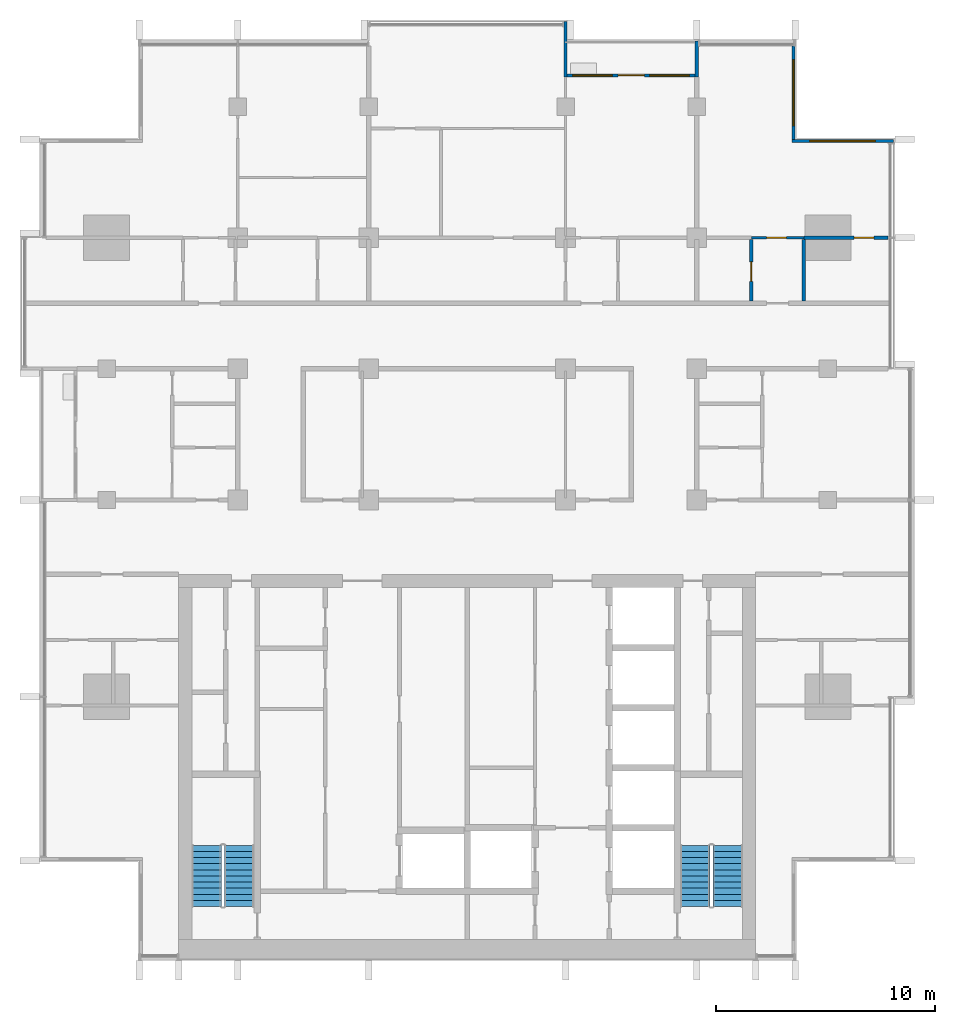
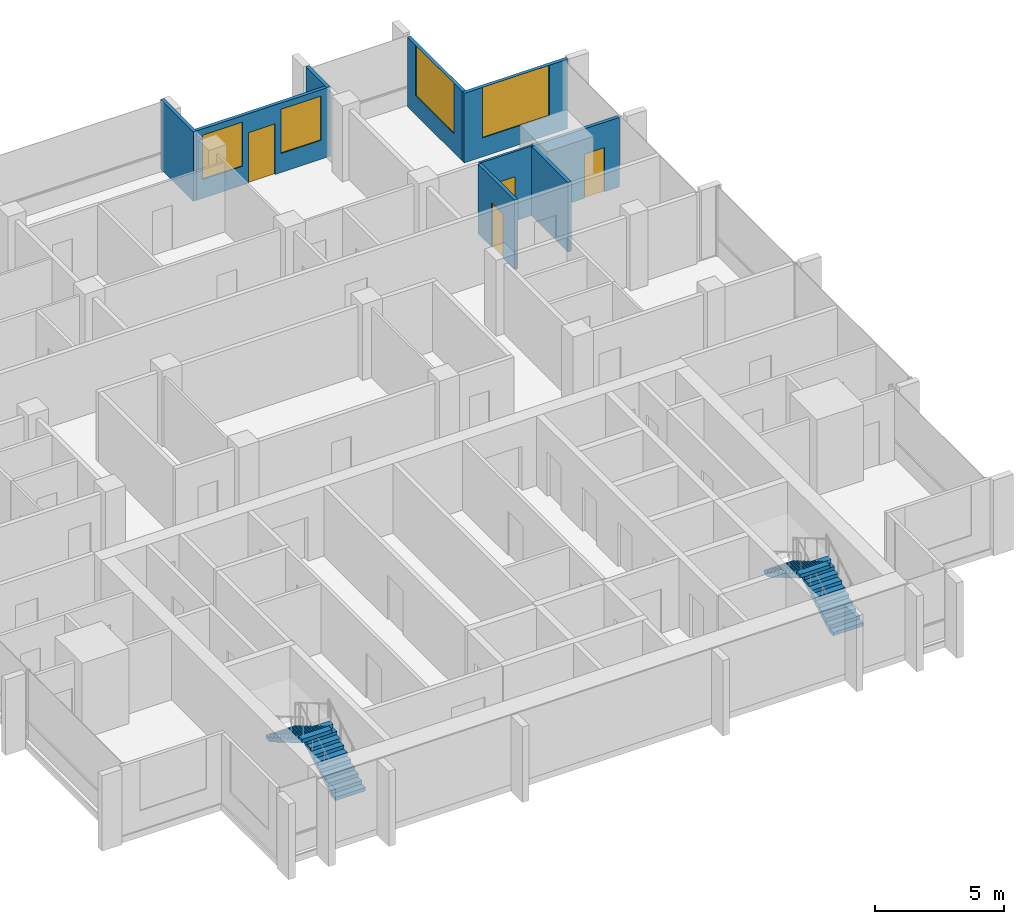
# One storey, part 11 of 16: 9 walls, 4 doors, 4 stair flights, 4 windows, 8 openings, 2 elements without a shape of their own.
"""IFC4 building model written with IfcOpenShell, lengths in metres."""

from ifc_helpers import new_model, si_unit, direction, frame, frame_2d, origin, place, context, subcontext, project, spatial, polyline, rectangle, outline, extrude, material, layer, layer_set, type_object, element, fill, aggregate, save


model = new_model("IFC4")

# Units and contexts
model_context = context("Model", 3, precision=1e-05, world=origin(), true_north=direction((0.0, 1.0)))
body_context = subcontext(model_context, "Body", "Model", "MODEL_VIEW")
ifc_project = project(units=[si_unit("LENGTHUNIT", "METRE"), si_unit("AREAUNIT", "SQUARE_METRE"), si_unit("VOLUMEUNIT", "CUBIC_METRE"), si_unit("PLANEANGLEUNIT", "RADIAN"), si_unit("MASSUNIT", "GRAM", prefix="KILO")], contexts=[model_context])

# Site, building, storey
site_placement = place(None, origin())
site = spatial("IfcSite", under=ifc_project, at=site_placement, CompositionType="ELEMENT")
building_placement = place(site_placement, origin())
building = spatial("IfcBuilding", under=site, at=building_placement, Name="Finial Court Residences", CompositionType="ELEMENT")
storey_placement = place(building_placement, frame((0.0, 0.0, 233.89990234375)))
storey = spatial("IfcBuildingStorey", under=building, at=storey_placement, Name="L59", CompositionType="ELEMENT", Elevation=233.89990234375)

# Wall, opening, door
ifc_material_1 = material(Name="Gypsum board")
ifc_layer_1 = layer(ifc_material_1, 0.012451171875)
ifc_material_2 = material(Name="Mineral wool in light-gauge frame")
ifc_layer_2 = layer(ifc_material_2, 0.074951171875)
ifc_layer_3 = layer(ifc_material_1, 0.012451171875)
ifc_layer_set_1 = layer_set([ifc_layer_1, ifc_layer_2, ifc_layer_3], Name="Gypsum board partition 100")
wall_type_1 = type_object("IfcWallType", Name="Gypsum board partition 100", PredefinedType="PARTITIONING", material=ifc_layer_set_1)
wall_1_placement = place(storey_placement, frame((13.0, 7.5, 0.0), z_axis=(0.0, 0.0, 1.0), x_axis=(1.0, 0.0, 0.0)))
wall_1 = element("IfcWall", 1, at=wall_1_placement, inside=storey, type_object=wall_type_1, Name="Partition L59-020", PredefinedType="PARTITIONING", context=body_context, shape_type="SweptSolid", body=[
    extrude(rectangle(XDim=2.39990234375, YDim=0.10009765625, at=frame_2d((1.199951171875, 0.0))), origin(), (0.0, 0.0, 1.0), 3.300048828125),
])
opening_1_placement = place(wall_1_placement, frame((0.699951171875, 0.0, 0.0)))
opening_1 = element("IfcOpeningElement", 2, at=opening_1_placement, cuts=wall_1, Name="Opening L59-D021", PredefinedType="OPENING", context=body_context, shape_type="SweptSolid", body=[
    extrude(rectangle(XDim=0.89990234375, YDim=2.10009765625, at=frame_2d((0.449951171875, 1.050048828125))), frame((0.0, 0.06005859375, 0.0), z_axis=(0.0, -1.0, 0.0), x_axis=(1.0, 0.0, 0.0)), (0.0, 0.0, 1.0), 0.1201171875),
])
ifc_material_3 = material(Name="Timber door leaf in timber frame", Category="wood")
door_type_1 = type_object("IfcDoorType", Name="Door set 900 x 2100", OperationType="SINGLE_SWING_LEFT", PredefinedType="DOOR", material=ifc_material_3)
door_1_placement = place(opening_1_placement, origin())
door_1 = element("IfcDoor", 3, at=door_1_placement, inside=storey, type_object=door_type_1, Name="Door L59-D021", OperationType="SINGLE_SWING_LEFT", OverallHeight=2.10009765625, OverallWidth=0.89990234375, PredefinedType="DOOR", context=body_context, shape_type="SweptSolid", body=[
    extrude(rectangle(XDim=0.89990234375, YDim=2.10009765625, at=frame_2d((0.449951171875, 1.050048828125))), frame((0.0, 0.02490234375, 0.0), z_axis=(0.0, -1.0, 0.0), x_axis=(1.0, 0.0, 0.0)), (0.0, 0.0, 1.0), 0.050048828125),
])
fill(opening_1, door_1)

ifc_material_4 = material(Name="Moisture-resistant gypsum board")
ifc_layer_4 = layer(ifc_material_4, 0.012451171875)
ifc_layer_5 = layer(ifc_material_2, 0.125)
ifc_layer_6 = layer(ifc_material_4, 0.012451171875)
ifc_layer_set_2 = layer_set([ifc_layer_4, ifc_layer_5, ifc_layer_6], Name="Gypsum board wet-area partition 150")
wall_type_2 = type_object("IfcWallType", Name="Gypsum board wet-area partition 150", PredefinedType="PARTITIONING", material=ifc_layer_set_2)
wall_2_placement = place(storey_placement, frame((15.39990234375, 7.5, 0.0), z_axis=(0.0, 0.0, 1.0), x_axis=(1.0, 0.0, 0.0)))
wall_2 = element("IfcWall", 4, at=wall_2_placement, inside=storey, type_object=wall_type_2, Name="Partition L59-025", PredefinedType="PARTITIONING", context=body_context, shape_type="SweptSolid", body=[
    extrude(rectangle(XDim=3.862548828125, YDim=0.14990234375, at=frame_2d((1.93115234375, 0.0))), origin(), (0.0, 0.0, 1.0), 3.300048828125),
])
opening_2_placement = place(wall_2_placement, frame((2.300048828125, 0.0, 0.0)))
opening_2 = element("IfcOpeningElement", 5, at=opening_2_placement, cuts=wall_2, Name="Opening L59-D023", PredefinedType="OPENING", context=body_context, shape_type="SweptSolid", body=[
    extrude(rectangle(XDim=0.89990234375, YDim=2.10009765625, at=frame_2d((0.449951171875, 1.050048828125))), frame((0.0, 0.0849609375, 0.0), z_axis=(0.0, -1.0, 0.0), x_axis=(1.0, 0.0, 0.0)), (0.0, 0.0, 1.0), 0.169921875),
])
door_2_placement = place(opening_2_placement, origin())
door_2 = element("IfcDoor", 6, at=door_2_placement, inside=storey, type_object=door_type_1, Name="Door L59-D023", OperationType="SINGLE_SWING_RIGHT", OverallHeight=2.10009765625, OverallWidth=0.89990234375, PredefinedType="DOOR", context=body_context, shape_type="SweptSolid", body=[
    extrude(rectangle(XDim=0.89990234375, YDim=2.10009765625, at=frame_2d((0.449951171875, 1.050048828125))), frame((0.0, 0.02490234375, 0.0), z_axis=(0.0, -1.0, 0.0), x_axis=(1.0, 0.0, 0.0)), (0.0, 0.0, 1.0), 0.050048828125),
])
fill(opening_2, door_2)

wall_3_placement = place(storey_placement, frame((13.0, 4.60009765625, 0.0), z_axis=(0.0, 0.0, 1.0), x_axis=(0.0, 1.0, 0.0)))
wall_3 = element("IfcWall", 7, at=wall_3_placement, inside=storey, type_object=wall_type_2, Name="Partition L59-050", PredefinedType="PARTITIONING", context=body_context, shape_type="SweptSolid", body=[
    extrude(rectangle(XDim=2.824951171875, YDim=0.14990234375, at=frame_2d((1.41259765625, 0.0))), origin(), (0.0, 0.0, 1.0), 3.300048828125),
])
opening_3_placement = place(wall_3_placement, frame((0.89990234375, 0.0, 0.0)))
opening_3 = element("IfcOpeningElement", 8, at=opening_3_placement, cuts=wall_3, Name="Opening L59-D035", PredefinedType="OPENING", context=body_context, shape_type="SweptSolid", body=[
    extrude(rectangle(XDim=0.89990234375, YDim=2.10009765625, at=frame_2d((0.449951171875, 1.050048828125))), frame((0.0, 0.0849609375, 0.0), z_axis=(0.0, -1.0, 0.0), x_axis=(1.0, 0.0, 0.0)), (0.0, 0.0, 1.0), 0.169921875),
])
door_3_placement = place(opening_3_placement, origin())
door_3 = element("IfcDoor", 9, at=door_3_placement, inside=storey, type_object=door_type_1, Name="Door L59-D035", OperationType="SINGLE_SWING_LEFT", OverallHeight=2.10009765625, OverallWidth=0.89990234375, PredefinedType="DOOR", context=body_context, shape_type="SweptSolid", body=[
    extrude(rectangle(XDim=0.89990234375, YDim=2.10009765625, at=frame_2d((0.449951171875, 1.050048828125))), frame((0.0, 0.02490234375, 0.0), z_axis=(0.0, -1.0, 0.0), x_axis=(1.0, 0.0, 0.0)), (0.0, 0.0, 1.0), 0.050048828125),
])
fill(opening_3, door_3)

# Wall
wall_4_placement = place(storey_placement, frame((15.39990234375, 4.60009765625, 0.0), z_axis=(0.0, 0.0, 1.0), x_axis=(0.0, 1.0, 0.0)))
element("IfcWall", 10, at=wall_4_placement, inside=storey, type_object=wall_type_2, Name="Partition L59-053", PredefinedType="PARTITIONING", context=body_context, shape_type="SweptSolid", body=[
    extrude(rectangle(XDim=2.824951171875, YDim=0.14990234375, at=frame_2d((1.41259765625, 0.0))), origin(), (0.0, 0.0, 1.0), 3.300048828125),
])

# Wall, opening, window
ifc_material_5 = material(Name="Natural limestone", Category="masonry")
ifc_layer_7 = layer(ifc_material_5, 0.14990234375)
ifc_layer_set_3 = layer_set([ifc_layer_7], Name="Limestone clad wall 150")
wall_type_3 = type_object("IfcWallType", Name="Limestone clad wall 150", PredefinedType="SOLIDWALL", material=ifc_layer_set_3)
wall_5_placement = place(storey_placement, frame((14.925048828125, 16.262451171875, 0.0), z_axis=(0.0, 0.0, 1.0), x_axis=(0.0, -1.0, 0.0)))
wall_5 = element("IfcWall", 11, at=wall_5_placement, inside=storey, type_object=wall_type_3, Name="E-L59-NWE19", PredefinedType="SOLIDWALL", context=body_context, shape_type="SweptSolid", body=[
    extrude(rectangle(XDim=4.262451171875, YDim=0.14990234375, at=frame_2d((2.13134765625, 0.0))), origin(), (0.0, 0.0, 1.0), 3.300048828125),
])
opening_4_placement = place(wall_5_placement, frame((0.631103515625, 0.0, 0.89990234375)))
opening_4 = element("IfcOpeningElement", 12, at=opening_4_placement, cuts=wall_5, Name="Opening WE59-07", PredefinedType="OPENING", context=body_context, shape_type="SweptSolid", body=[
    extrude(rectangle(XDim=3.0, YDim=2.39990234375, at=frame_2d((1.5, 1.199951171875))), frame((0.0, 0.0849609375, 0.0), z_axis=(0.0, -1.0, 0.0), x_axis=(1.0, 0.0, 0.0)), (0.0, 0.0, 1.0), 0.169921875),
])
ifc_material_6 = material(Name="Clear low-e glass", Category="glass")
window_type_1 = type_object("IfcWindowType", Name="Corner window 3000 x 2400", PartitioningType="SINGLE_PANEL", PredefinedType="WINDOW", material=ifc_material_6)
window_1_placement = place(opening_4_placement, origin())
window_1 = element("IfcWindow", 13, at=window_1_placement, inside=storey, type_object=window_type_1, Name="E-L59-NWE19-W1", OverallHeight=2.39990234375, OverallWidth=3.0, PartitioningType="SINGLE_PANEL", PredefinedType="WINDOW", context=body_context, shape_type="SweptSolid", body=[
    extrude(rectangle(XDim=3.0, YDim=2.39990234375, at=frame_2d((1.5, 1.199951171875))), frame((0.0, 0.030029296875, 0.0), z_axis=(0.0, -1.0, 0.0), x_axis=(1.0, 0.0, 0.0)), (0.0, 0.0, 1.0), 0.06005859375),
])
fill(opening_4, window_1)

wall_6_placement = place(storey_placement, frame((14.85009765625, 11.925048828125, 0.0), z_axis=(0.0, 0.0, 1.0), x_axis=(1.0, 0.0, 0.0)))
wall_6 = element("IfcWall", 14, at=wall_6_placement, inside=storey, type_object=wall_type_3, Name="E-L59-NWN20", PredefinedType="SOLIDWALL", context=body_context, shape_type="SweptSolid", body=[
    extrude(rectangle(XDim=4.64990234375, YDim=0.14990234375, at=frame_2d((2.324951171875, 0.0))), origin(), (0.0, 0.0, 1.0), 3.300048828125),
])
opening_5_placement = place(wall_6_placement, frame((0.824951171875, 0.0, 0.89990234375)))
opening_5 = element("IfcOpeningElement", 15, at=opening_5_placement, cuts=wall_6, Name="Opening WE59-08", PredefinedType="OPENING", context=body_context, shape_type="SweptSolid", body=[
    extrude(rectangle(XDim=3.0, YDim=2.39990234375, at=frame_2d((1.5, 1.199951171875))), frame((0.0, 0.0849609375, 0.0), z_axis=(0.0, -1.0, 0.0), x_axis=(1.0, 0.0, 0.0)), (0.0, 0.0, 1.0), 0.169921875),
])
window_2_placement = place(opening_5_placement, origin())
window_2 = element("IfcWindow", 16, at=window_2_placement, inside=storey, type_object=window_type_1, Name="E-L59-NWN20-W1", OverallHeight=2.39990234375, OverallWidth=3.0, PartitioningType="SINGLE_PANEL", PredefinedType="WINDOW", context=body_context, shape_type="SweptSolid", body=[
    extrude(rectangle(XDim=3.0, YDim=2.39990234375, at=frame_2d((1.5, 1.199951171875))), frame((0.0, 0.030029296875, 0.0), z_axis=(0.0, -1.0, 0.0), x_axis=(1.0, 0.0, 0.0)), (0.0, 0.0, 1.0), 0.06005859375),
])
fill(opening_5, window_2)

# Walls
wall_7_placement = place(storey_placement, frame((4.5, 14.85009765625, 0.0), z_axis=(0.0, 0.0, 1.0), x_axis=(0.0, 1.0, 0.0)))
element("IfcWall", 17, at=wall_7_placement, inside=storey, type_object=wall_type_3, Name="E-L59-BALN4-P1", PredefinedType="SOLIDWALL", context=body_context, shape_type="SweptSolid", body=[
    extrude(rectangle(XDim=2.5498046875, YDim=0.14990234375, at=frame_2d((1.27490234375, 0.0))), origin(), (0.0, 0.0, 1.0), 3.300048828125),
])
wall_8_placement = place(storey_placement, frame((10.5, 14.85009765625, 0.0), z_axis=(0.0, 0.0, 1.0), x_axis=(0.0, 1.0, 0.0)))
element("IfcWall", 18, at=wall_8_placement, inside=storey, type_object=wall_type_3, Name="E-L59-BALN4-P2", PredefinedType="SOLIDWALL", context=body_context, shape_type="SweptSolid", body=[
    extrude(rectangle(XDim=1.64990234375, YDim=0.14990234375, at=frame_2d((0.824951171875, 0.0))), origin(), (0.0, 0.0, 1.0), 3.300048828125),
])

# Wall, openings, door, windows
wall_9_placement = place(storey_placement, frame((4.574951171875, 14.925048828125, 0.0), z_axis=(0.0, 0.0, 1.0), x_axis=(1.0, 0.0, 0.0)))
wall_9 = element("IfcWall", 19, at=wall_9_placement, inside=storey, type_object=wall_type_3, Name="E-L59-L59-BALN4-W", PredefinedType="SOLIDWALL", context=body_context, shape_type="SweptSolid", body=[
    extrude(rectangle(XDim=5.85009765625, YDim=0.14990234375, at=frame_2d((2.925048828125, 0.0))), origin(), (0.0, 0.0, 1.0), 3.300048828125),
])
opening_6_placement = place(wall_9_placement, frame((2.324951171875, 0.0, 0.0)))
opening_6 = element("IfcOpeningElement", 20, at=opening_6_placement, cuts=wall_9, Name="Opening DE59-01", PredefinedType="OPENING", context=body_context, shape_type="SweptSolid", body=[
    extrude(rectangle(XDim=1.199951171875, YDim=2.39990234375, at=frame_2d((0.60009765625, 1.199951171875))), frame((0.0, 0.0849609375, 0.0), z_axis=(0.0, -1.0, 0.0), x_axis=(1.0, 0.0, 0.0)), (0.0, 0.0, 1.0), 0.169921875),
])
opening_7_placement = place(wall_9_placement, frame((0.262451171875, 0.0, 0.89990234375)))
opening_7 = element("IfcOpeningElement", 21, at=opening_7_placement, cuts=wall_9, Name="Opening WE59-09", PredefinedType="OPENING", context=body_context, shape_type="SweptSolid", body=[
    extrude(rectangle(XDim=1.800048828125, YDim=2.10009765625, at=frame_2d((0.89990234375, 1.050048828125))), frame((0.0, 0.0849609375, 0.0), z_axis=(0.0, -1.0, 0.0), x_axis=(1.0, 0.0, 0.0)), (0.0, 0.0, 1.0), 0.169921875),
])
opening_8_placement = place(wall_9_placement, frame((3.78759765625, 0.0, 0.89990234375)))
opening_8 = element("IfcOpeningElement", 22, at=opening_8_placement, cuts=wall_9, Name="Opening WE59-10", PredefinedType="OPENING", context=body_context, shape_type="SweptSolid", body=[
    extrude(rectangle(XDim=1.800048828125, YDim=2.10009765625, at=frame_2d((0.89990234375, 1.050048828125))), frame((0.0, 0.0849609375, 0.0), z_axis=(0.0, -1.0, 0.0), x_axis=(1.0, 0.0, 0.0)), (0.0, 0.0, 1.0), 0.169921875),
])
ifc_material_7 = material(Name="Bronze anodised aluminium", Category="aluminium")
door_type_2 = type_object("IfcDoorType", Name="Balcony door 1200 x 2400", OperationType="SINGLE_SWING_LEFT", PredefinedType="DOOR", material=ifc_material_7)
door_4_placement = place(opening_6_placement, origin())
door_4 = element("IfcDoor", 23, at=door_4_placement, inside=storey, type_object=door_type_2, Name="E-L59-L59-BALN4-W-D", OperationType="SINGLE_SWING_RIGHT", OverallHeight=2.39990234375, OverallWidth=1.199951171875, PredefinedType="DOOR", context=body_context, shape_type="SweptSolid", body=[
    extrude(rectangle(XDim=1.199951171875, YDim=2.39990234375, at=frame_2d((0.60009765625, 1.199951171875))), frame((0.0, 0.02490234375, 0.0), z_axis=(0.0, -1.0, 0.0), x_axis=(1.0, 0.0, 0.0)), (0.0, 0.0, 1.0), 0.050048828125),
])
fill(opening_6, door_4)
window_type_2 = type_object("IfcWindowType", Name="Balcony window 1800 x 2100", PartitioningType="SINGLE_PANEL", PredefinedType="WINDOW", material=ifc_material_6)
window_3_placement = place(opening_7_placement, origin())
window_3 = element("IfcWindow", 24, at=window_3_placement, inside=storey, type_object=window_type_2, Name="E-L59-L59-BALN4-W-W1", OverallHeight=2.10009765625, OverallWidth=1.800048828125, PartitioningType="SINGLE_PANEL", PredefinedType="WINDOW", context=body_context, shape_type="SweptSolid", body=[
    extrude(rectangle(XDim=1.800048828125, YDim=2.10009765625, at=frame_2d((0.89990234375, 1.050048828125))), frame((0.0, 0.030029296875, 0.0), z_axis=(0.0, -1.0, 0.0), x_axis=(1.0, 0.0, 0.0)), (0.0, 0.0, 1.0), 0.06005859375),
])
fill(opening_7, window_3)
window_4_placement = place(opening_8_placement, origin())
window_4 = element("IfcWindow", 25, at=window_4_placement, inside=storey, type_object=window_type_2, Name="E-L59-L59-BALN4-W-W2", OverallHeight=2.10009765625, OverallWidth=1.800048828125, PartitioningType="SINGLE_PANEL", PredefinedType="WINDOW", context=body_context, shape_type="SweptSolid", body=[
    extrude(rectangle(XDim=1.800048828125, YDim=2.10009765625, at=frame_2d((0.89990234375, 1.050048828125))), frame((0.0, 0.030029296875, 0.0), z_axis=(0.0, -1.0, 0.0), x_axis=(1.0, 0.0, 0.0)), (0.0, 0.0, 1.0), 0.06005859375),
])
fill(opening_8, window_4)

# Stair, stair flights
ifc_material_8 = material(Name="Concrete C50/60", Category="concrete")
stair_type = type_object("IfcStairType", Name="Exit stair 22 risers of 163.6 mm", PredefinedType="HALF_TURN_STAIR", material=ifc_material_8)
stair_1_placement = place(storey_placement, origin())
stair_1 = element("IfcStair", 26, at=stair_1_placement, inside=storey, type_object=stair_type, Name="L59 Exit stair ST-1", PredefinedType="HALF_TURN_STAIR")
stair_flight_type = type_object("IfcStairFlightType", Name="Exit stair flight", PredefinedType="STRAIGHT", material=ifc_material_8)
stair_flight_1_placement = place(storey_placement, frame((-10.425048828125, -23.10009765625, 0.0), z_axis=(0.0, 0.0, 1.0), x_axis=(0.0, 1.0, 0.0)))
stair_flight_1 = element("IfcStairFlight", 27, at=stair_flight_1_placement, type_object=stair_flight_type, Name="ST-1 flight 1", NumberOfRisers=11, NumberOfTreads=10, PredefinedType="STRAIGHT", RiserHeight=0.163636364, TreadLength=0.28, context=body_context, shape_type="SweptSolid", body=[
    extrude(outline(polyline([(0.0, 0.0), (0.0, 0.16357421875), (0.280029296875, 0.16357421875), (0.280029296875, 0.327392578125), (0.56005859375, 0.327392578125), (0.56005859375, 0.490966796875), (0.840087890625, 0.490966796875), (0.840087890625, 0.654541015625), (1.1201171875, 0.654541015625), (1.1201171875, 0.818115234375), (1.39990234375, 0.818115234375), (1.39990234375, 0.98193359375), (1.679931640625, 0.98193359375), (1.679931640625, 1.1455078125), (1.9599609375, 1.1455078125), (1.9599609375, 1.30908203125), (2.239990234375, 1.30908203125), (2.239990234375, 1.47265625), (2.52001953125, 1.47265625), (2.52001953125, 1.636474609375), (2.800048828125, 1.636474609375), (2.800048828125, 1.800048828125), (2.800048828125, 1.462646484375), (0.297119140625, 0.0), (0.0, 0.0)])), frame((0.0, 0.675048828125, 0.0), z_axis=(0.0, -1.0, 0.0), x_axis=(1.0, 0.0, 0.0)), (0.0, 0.0, 1.0), 1.35009765625),
])
stair_flight_2_placement = place(storey_placement, frame((-11.925048828125, -20.300048828125, 1.800048828125), z_axis=(0.0, 0.0, 1.0), x_axis=(0.0, -1.0, 0.0)))
stair_flight_2 = element("IfcStairFlight", 28, at=stair_flight_2_placement, type_object=stair_flight_type, Name="ST-1 flight 2", NumberOfRisers=11, NumberOfTreads=10, PredefinedType="STRAIGHT", RiserHeight=0.163636364, TreadLength=0.28, context=body_context, shape_type="SweptSolid", body=[
    extrude(outline(polyline([(0.0, 0.0), (0.0, 0.16357421875), (0.280029296875, 0.16357421875), (0.280029296875, 0.327392578125), (0.56005859375, 0.327392578125), (0.56005859375, 0.490966796875), (0.840087890625, 0.490966796875), (0.840087890625, 0.654541015625), (1.1201171875, 0.654541015625), (1.1201171875, 0.818115234375), (1.39990234375, 0.818115234375), (1.39990234375, 0.98193359375), (1.679931640625, 0.98193359375), (1.679931640625, 1.1455078125), (1.9599609375, 1.1455078125), (1.9599609375, 1.30908203125), (2.239990234375, 1.30908203125), (2.239990234375, 1.47265625), (2.52001953125, 1.47265625), (2.52001953125, 1.636474609375), (2.800048828125, 1.636474609375), (2.800048828125, 1.800048828125), (2.800048828125, 1.462646484375), (0.297119140625, 0.0), (0.0, 0.0)])), frame((0.0, 0.675048828125, 0.0), z_axis=(0.0, -1.0, 0.0), x_axis=(1.0, 0.0, 0.0)), (0.0, 0.0, 1.0), 1.35009765625),
])
aggregate(stair_1, [stair_flight_1, stair_flight_2])

stair_2_placement = place(storey_placement, origin())
stair_2 = element("IfcStair", 29, at=stair_2_placement, inside=storey, type_object=stair_type, Name="L59 Exit stair ST-2", PredefinedType="HALF_TURN_STAIR")
stair_flight_3_placement = place(storey_placement, frame((11.925048828125, -23.10009765625, 0.0), z_axis=(0.0, 0.0, 1.0), x_axis=(0.0, 1.0, 0.0)))
stair_flight_3 = element("IfcStairFlight", 30, at=stair_flight_3_placement, type_object=stair_flight_type, Name="ST-2 flight 1", NumberOfRisers=11, NumberOfTreads=10, PredefinedType="STRAIGHT", RiserHeight=0.163636364, TreadLength=0.28, context=body_context, shape_type="SweptSolid", body=[
    extrude(outline(polyline([(0.0, 0.0), (0.0, 0.16357421875), (0.280029296875, 0.16357421875), (0.280029296875, 0.327392578125), (0.56005859375, 0.327392578125), (0.56005859375, 0.490966796875), (0.840087890625, 0.490966796875), (0.840087890625, 0.654541015625), (1.1201171875, 0.654541015625), (1.1201171875, 0.818115234375), (1.39990234375, 0.818115234375), (1.39990234375, 0.98193359375), (1.679931640625, 0.98193359375), (1.679931640625, 1.1455078125), (1.9599609375, 1.1455078125), (1.9599609375, 1.30908203125), (2.239990234375, 1.30908203125), (2.239990234375, 1.47265625), (2.52001953125, 1.47265625), (2.52001953125, 1.636474609375), (2.800048828125, 1.636474609375), (2.800048828125, 1.800048828125), (2.800048828125, 1.462646484375), (0.297119140625, 0.0), (0.0, 0.0)])), frame((0.0, 0.675048828125, 0.0), z_axis=(0.0, -1.0, 0.0), x_axis=(1.0, 0.0, 0.0)), (0.0, 0.0, 1.0), 1.35009765625),
])
stair_flight_4_placement = place(storey_placement, frame((10.425048828125, -20.300048828125, 1.800048828125), z_axis=(0.0, 0.0, 1.0), x_axis=(0.0, -1.0, 0.0)))
stair_flight_4 = element("IfcStairFlight", 31, at=stair_flight_4_placement, type_object=stair_flight_type, Name="ST-2 flight 2", NumberOfRisers=11, NumberOfTreads=10, PredefinedType="STRAIGHT", RiserHeight=0.163636364, TreadLength=0.28, context=body_context, shape_type="SweptSolid", body=[
    extrude(outline(polyline([(0.0, 0.0), (0.0, 0.16357421875), (0.280029296875, 0.16357421875), (0.280029296875, 0.327392578125), (0.56005859375, 0.327392578125), (0.56005859375, 0.490966796875), (0.840087890625, 0.490966796875), (0.840087890625, 0.654541015625), (1.1201171875, 0.654541015625), (1.1201171875, 0.818115234375), (1.39990234375, 0.818115234375), (1.39990234375, 0.98193359375), (1.679931640625, 0.98193359375), (1.679931640625, 1.1455078125), (1.9599609375, 1.1455078125), (1.9599609375, 1.30908203125), (2.239990234375, 1.30908203125), (2.239990234375, 1.47265625), (2.52001953125, 1.47265625), (2.52001953125, 1.636474609375), (2.800048828125, 1.636474609375), (2.800048828125, 1.800048828125), (2.800048828125, 1.462646484375), (0.297119140625, 0.0), (0.0, 0.0)])), frame((0.0, 0.675048828125, 0.0), z_axis=(0.0, -1.0, 0.0), x_axis=(1.0, 0.0, 0.0)), (0.0, 0.0, 1.0), 1.35009765625),
])
aggregate(stair_2, [stair_flight_3, stair_flight_4])

save(model, "model.ifc")
